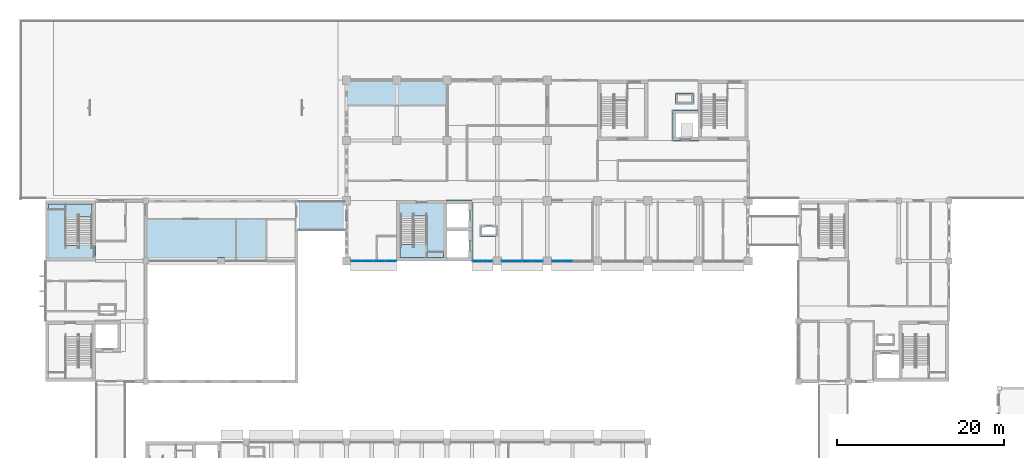
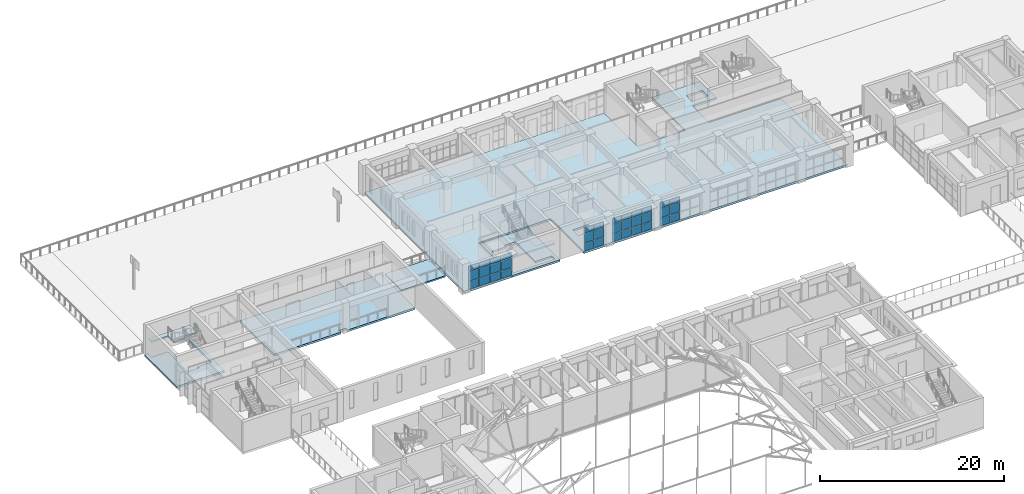
# One storey, part 61 of 101: 36 plates, 7 slabs, 6 elements without a shape of their own.
"""IFC4 building model written with IfcOpenShell, lengths in metres."""

from ifc_helpers import new_model, si_unit, direction, frame, origin, origin_2d, place, context, subcontext, project, spatial, polyline, rectangle, outline, extrude, material, layer, layer_set, type_object, element, aggregate, save


model = new_model("IFC4")

# Units and contexts
model_context = context("Model", 3, precision=1e-05, world=origin(), true_north=direction((0.0, 1.0)))
body_context = subcontext(model_context, "Body", "Model", "MODEL_VIEW")
ifc_project = project(units=[si_unit("LENGTHUNIT", "METRE"), si_unit("AREAUNIT", "SQUARE_METRE"), si_unit("VOLUMEUNIT", "CUBIC_METRE"), si_unit("PLANEANGLEUNIT", "RADIAN"), si_unit("MASSUNIT", "GRAM", prefix="KILO")], contexts=[model_context])

# Site, building, storey
site_placement = place(None, origin())
site = spatial("IfcSite", under=ifc_project, at=site_placement, CompositionType="ELEMENT")
building_placement = place(site_placement, origin())
building = spatial("IfcBuilding", under=site, at=building_placement, Name="Laocheng Heights Fire and Rescue Headquarters", CompositionType="ELEMENT")
storey_placement = place(building_placement, frame((0.0, 0.0, 8.39990234375)))
storey = spatial("IfcBuildingStorey", under=building, at=storey_placement, Name="L02", CompositionType="ELEMENT", Elevation=8.39990234375)

# Curtain wall, plates
ifc_material_1 = material(Name="Dark anodised aluminium unitised curtain wall, low-e double glazing", Category="aluminium")
curtain_wall_type_1 = type_object("IfcCurtainWallType", Name="CW 5500 x 3200 HQ SOUTH RIBBON", PredefinedType="NOTDEFINED", material=ifc_material_1)
curtain_wall_1_placement = place(storey_placement, origin())
curtain_wall_1 = element("IfcCurtainWall", 1, at=curtain_wall_1_placement, inside=storey, type_object=curtain_wall_type_1, Name="X8-X HQ SOUTH L02", PredefinedType="NOTDEFINED")
ifc_material_2 = material(Name="Laminated safety glass, low-e double glazed unit", Category="glass")
ifc_layer_1 = layer(ifc_material_2, 0.0400390625)
ifc_layer_set_1 = layer_set([ifc_layer_1], Name="Laminated safety glass, low-e double glazed unit")
plate_type_1 = type_object("IfcPlateType", Name="CW LAMINATED SAFETY PANEL 40 X", PredefinedType="CURTAIN_PANEL", material=ifc_layer_set_1)
plate_1_placement = place(storey_placement, frame((37.202392578125, 50.39990234375, 0.050048828125), z_axis=(0.0, 0.0, 1.0), x_axis=(1.0, 0.0, 0.0)))
plate_1 = element("IfcPlate", 2, at=plate_1_placement, type_object=plate_type_1, Name="X8-X panel 1.1", PredefinedType="CURTAIN_PANEL", context=body_context, shape_type="SweptSolid", body=[
    extrude(rectangle(XDim=1.284912109375, YDim=0.0400390625, at=origin_2d()), origin(), (0.0, 0.0, 1.0), 1.02490234375),
])
plate_2_placement = place(storey_placement, frame((38.5625, 50.39990234375, 0.050048828125), z_axis=(0.0, 0.0, 1.0), x_axis=(1.0, 0.0, 0.0)))
plate_2 = element("IfcPlate", 3, at=plate_2_placement, type_object=plate_type_1, Name="X8-X panel 2.1", PredefinedType="CURTAIN_PANEL", context=body_context, shape_type="SweptSolid", body=[
    extrude(rectangle(XDim=1.31494140625, YDim=0.0400390625, at=origin_2d()), origin(), (0.0, 0.0, 1.0), 1.02490234375),
])
plate_3_placement = place(storey_placement, frame((39.9375, 50.39990234375, 0.050048828125), z_axis=(0.0, 0.0, 1.0), x_axis=(1.0, 0.0, 0.0)))
plate_3 = element("IfcPlate", 4, at=plate_3_placement, type_object=plate_type_1, Name="X8-X panel 3.1", PredefinedType="CURTAIN_PANEL", context=body_context, shape_type="SweptSolid", body=[
    extrude(rectangle(XDim=1.31494140625, YDim=0.0400390625, at=origin_2d()), origin(), (0.0, 0.0, 1.0), 1.02490234375),
])
plate_4_placement = place(storey_placement, frame((41.297607421875, 50.39990234375, 0.050048828125), z_axis=(0.0, 0.0, 1.0), x_axis=(1.0, 0.0, 0.0)))
plate_4 = element("IfcPlate", 5, at=plate_4_placement, type_object=plate_type_1, Name="X8-X panel 4.1", PredefinedType="CURTAIN_PANEL", context=body_context, shape_type="SweptSolid", body=[
    extrude(rectangle(XDim=1.284912109375, YDim=0.0400390625, at=origin_2d()), origin(), (0.0, 0.0, 1.0), 1.02490234375),
])

ifc_material_3 = material(Name="Dark anodised aluminium unitised curtain wall, low-e double glazing", Category="aluminium")
curtain_wall_type_2 = type_object("IfcCurtainWallType", Name="CW 2500 x 3200 HQ SOUTH RIBBON", PredefinedType="NOTDEFINED", material=ifc_material_3)
curtain_wall_2_placement = place(storey_placement, origin())
curtain_wall_2 = element("IfcCurtainWall", 6, at=curtain_wall_2_placement, inside=storey, type_object=curtain_wall_type_2, Name="X9-X HQ SOUTH L02", PredefinedType="NOTDEFINED")
plate_5_placement = place(storey_placement, frame((51.639892578125, 50.39990234375, 0.050048828125), z_axis=(0.0, 0.0, 1.0), x_axis=(1.0, 0.0, 0.0)))
plate_5 = element("IfcPlate", 7, at=plate_5_placement, type_object=plate_type_1, Name="X9-X panel 1.1", PredefinedType="CURTAIN_PANEL", context=body_context, shape_type="SweptSolid", body=[
    extrude(rectangle(XDim=1.159912109375, YDim=0.0400390625, at=origin_2d()), origin(), (0.0, 0.0, 1.0), 1.02490234375),
])
plate_6_placement = place(storey_placement, frame((52.860107421875, 50.39990234375, 0.050048828125), z_axis=(0.0, 0.0, 1.0), x_axis=(1.0, 0.0, 0.0)))
plate_6 = element("IfcPlate", 8, at=plate_6_placement, type_object=plate_type_1, Name="X9-X panel 2.1", PredefinedType="CURTAIN_PANEL", context=body_context, shape_type="SweptSolid", body=[
    extrude(rectangle(XDim=1.159912109375, YDim=0.0400390625, at=origin_2d()), origin(), (0.0, 0.0, 1.0), 1.02490234375),
])

ifc_material_4 = material(Name="Dark anodised aluminium unitised curtain wall, low-e double glazing", Category="aluminium")
curtain_wall_type_3 = type_object("IfcCurtainWallType", Name="CW 5000 x 3200 HQ SOUTH RIBBON", PredefinedType="NOTDEFINED", material=ifc_material_4)
curtain_wall_3_placement = place(storey_placement, origin())
curtain_wall_3 = element("IfcCurtainWall", 9, at=curtain_wall_3_placement, inside=storey, type_object=curtain_wall_type_3, Name="X10-X HQ SOUTH L02", PredefinedType="NOTDEFINED")
plate_7_placement = place(storey_placement, frame((55.139892578125, 50.39990234375, 0.050048828125), z_axis=(0.0, 0.0, 1.0), x_axis=(1.0, 0.0, 0.0)))
plate_7 = element("IfcPlate", 10, at=plate_7_placement, type_object=plate_type_1, Name="X10-X panel 1.1", PredefinedType="CURTAIN_PANEL", context=body_context, shape_type="SweptSolid", body=[
    extrude(rectangle(XDim=1.159912109375, YDim=0.0400390625, at=origin_2d()), origin(), (0.0, 0.0, 1.0), 1.02490234375),
])
plate_8_placement = place(storey_placement, frame((56.375, 50.39990234375, 0.050048828125), z_axis=(0.0, 0.0, 1.0), x_axis=(1.0, 0.0, 0.0)))
plate_8 = element("IfcPlate", 11, at=plate_8_placement, type_object=plate_type_1, Name="X10-X panel 2.1", PredefinedType="CURTAIN_PANEL", context=body_context, shape_type="SweptSolid", body=[
    extrude(rectangle(XDim=1.18994140625, YDim=0.0400390625, at=origin_2d()), origin(), (0.0, 0.0, 1.0), 1.02490234375),
])
plate_9_placement = place(storey_placement, frame((57.625, 50.39990234375, 0.050048828125), z_axis=(0.0, 0.0, 1.0), x_axis=(1.0, 0.0, 0.0)))
plate_9 = element("IfcPlate", 12, at=plate_9_placement, type_object=plate_type_1, Name="X10-X panel 3.1", PredefinedType="CURTAIN_PANEL", context=body_context, shape_type="SweptSolid", body=[
    extrude(rectangle(XDim=1.18994140625, YDim=0.0400390625, at=origin_2d()), origin(), (0.0, 0.0, 1.0), 1.02490234375),
])
plate_10_placement = place(storey_placement, frame((58.860107421875, 50.39990234375, 0.050048828125), z_axis=(0.0, 0.0, 1.0), x_axis=(1.0, 0.0, 0.0)))
plate_10 = element("IfcPlate", 13, at=plate_10_placement, type_object=plate_type_1, Name="X10-X panel 4.1", PredefinedType="CURTAIN_PANEL", context=body_context, shape_type="SweptSolid", body=[
    extrude(rectangle(XDim=1.159912109375, YDim=0.0400390625, at=origin_2d()), origin(), (0.0, 0.0, 1.0), 1.02490234375),
])

curtain_wall_4_placement = place(storey_placement, origin())
curtain_wall_4 = element("IfcCurtainWall", 14, at=curtain_wall_4_placement, inside=storey, type_object=curtain_wall_type_3, Name="X10-X HQ SOUTH L02", PredefinedType="NOTDEFINED")
plate_11_placement = place(storey_placement, frame((61.139892578125, 50.39990234375, 0.050048828125), z_axis=(0.0, 0.0, 1.0), x_axis=(1.0, 0.0, 0.0)))
plate_11 = element("IfcPlate", 15, at=plate_11_placement, type_object=plate_type_1, Name="X10-X panel 1.1", PredefinedType="CURTAIN_PANEL", context=body_context, shape_type="SweptSolid", body=[
    extrude(rectangle(XDim=1.159912109375, YDim=0.0400390625, at=origin_2d()), origin(), (0.0, 0.0, 1.0), 1.02490234375),
])
plate_12_placement = place(storey_placement, frame((62.375, 50.39990234375, 0.050048828125), z_axis=(0.0, 0.0, 1.0), x_axis=(1.0, 0.0, 0.0)))
plate_12 = element("IfcPlate", 16, at=plate_12_placement, type_object=plate_type_1, Name="X10-X panel 2.1", PredefinedType="CURTAIN_PANEL", context=body_context, shape_type="SweptSolid", body=[
    extrude(rectangle(XDim=1.18994140625, YDim=0.0400390625, at=origin_2d()), origin(), (0.0, 0.0, 1.0), 1.02490234375),
])

# Plate
ifc_material_5 = material(Name="Low-e double glazed unit, laminated inner pane")
ifc_layer_2 = layer(ifc_material_5, 0.028076171875)
ifc_layer_set_2 = layer_set([ifc_layer_2], Name="Low-e double glazed unit, laminated inner pane")
plate_type_2 = type_object("IfcPlateType", Name="CW VISION PANEL 28 X", PredefinedType="CURTAIN_PANEL", material=ifc_layer_set_2)
plate_13_placement = place(storey_placement, frame((37.202392578125, 50.39990234375, 1.125), z_axis=(0.0, 0.0, 1.0), x_axis=(1.0, 0.0, 0.0)))
plate_13 = element("IfcPlate", 17, at=plate_13_placement, type_object=plate_type_2, Name="X8-X panel 1.2", PredefinedType="CURTAIN_PANEL", context=body_context, shape_type="SweptSolid", body=[
    extrude(rectangle(XDim=1.284912109375, YDim=0.028076171875, at=origin_2d()), origin(), (0.0, 0.0, 1.0), 1.25),
])

plate_14_placement = place(storey_placement, frame((37.202392578125, 50.39990234375, 2.425048828125), z_axis=(0.0, 0.0, 1.0), x_axis=(1.0, 0.0, 0.0)))
plate_14 = element("IfcPlate", 18, at=plate_14_placement, type_object=plate_type_2, Name="X8-X panel 1.3", PredefinedType="CURTAIN_PANEL", context=body_context, shape_type="SweptSolid", body=[
    extrude(rectangle(XDim=1.284912109375, YDim=0.028076171875, at=origin_2d()), origin(), (0.0, 0.0, 1.0), 0.72509765625),
])

plate_15_placement = place(storey_placement, frame((38.5625, 50.39990234375, 1.125), z_axis=(0.0, 0.0, 1.0), x_axis=(1.0, 0.0, 0.0)))
plate_15 = element("IfcPlate", 19, at=plate_15_placement, type_object=plate_type_2, Name="X8-X panel 2.2", PredefinedType="CURTAIN_PANEL", context=body_context, shape_type="SweptSolid", body=[
    extrude(rectangle(XDim=1.31494140625, YDim=0.028076171875, at=origin_2d()), origin(), (0.0, 0.0, 1.0), 1.25),
])

plate_16_placement = place(storey_placement, frame((38.5625, 50.39990234375, 2.425048828125), z_axis=(0.0, 0.0, 1.0), x_axis=(1.0, 0.0, 0.0)))
plate_16 = element("IfcPlate", 20, at=plate_16_placement, type_object=plate_type_2, Name="X8-X panel 2.3", PredefinedType="CURTAIN_PANEL", context=body_context, shape_type="SweptSolid", body=[
    extrude(rectangle(XDim=1.31494140625, YDim=0.028076171875, at=origin_2d()), origin(), (0.0, 0.0, 1.0), 0.72509765625),
])

plate_17_placement = place(storey_placement, frame((39.9375, 50.39990234375, 1.125), z_axis=(0.0, 0.0, 1.0), x_axis=(1.0, 0.0, 0.0)))
plate_17 = element("IfcPlate", 21, at=plate_17_placement, type_object=plate_type_2, Name="X8-X panel 3.2", PredefinedType="CURTAIN_PANEL", context=body_context, shape_type="SweptSolid", body=[
    extrude(rectangle(XDim=1.31494140625, YDim=0.028076171875, at=origin_2d()), origin(), (0.0, 0.0, 1.0), 1.25),
])

plate_18_placement = place(storey_placement, frame((39.9375, 50.39990234375, 2.425048828125), z_axis=(0.0, 0.0, 1.0), x_axis=(1.0, 0.0, 0.0)))
plate_18 = element("IfcPlate", 22, at=plate_18_placement, type_object=plate_type_2, Name="X8-X panel 3.3", PredefinedType="CURTAIN_PANEL", context=body_context, shape_type="SweptSolid", body=[
    extrude(rectangle(XDim=1.31494140625, YDim=0.028076171875, at=origin_2d()), origin(), (0.0, 0.0, 1.0), 0.72509765625),
])

plate_19_placement = place(storey_placement, frame((41.297607421875, 50.39990234375, 1.125), z_axis=(0.0, 0.0, 1.0), x_axis=(1.0, 0.0, 0.0)))
plate_19 = element("IfcPlate", 23, at=plate_19_placement, type_object=plate_type_2, Name="X8-X panel 4.2", PredefinedType="CURTAIN_PANEL", context=body_context, shape_type="SweptSolid", body=[
    extrude(rectangle(XDim=1.284912109375, YDim=0.028076171875, at=origin_2d()), origin(), (0.0, 0.0, 1.0), 1.25),
])

plate_20_placement = place(storey_placement, frame((41.297607421875, 50.39990234375, 2.425048828125), z_axis=(0.0, 0.0, 1.0), x_axis=(1.0, 0.0, 0.0)))
plate_20 = element("IfcPlate", 24, at=plate_20_placement, type_object=plate_type_2, Name="X8-X panel 4.3", PredefinedType="CURTAIN_PANEL", context=body_context, shape_type="SweptSolid", body=[
    extrude(rectangle(XDim=1.284912109375, YDim=0.028076171875, at=origin_2d()), origin(), (0.0, 0.0, 1.0), 0.72509765625),
])

aggregate(curtain_wall_1, [plate_1, plate_13, plate_14, plate_2, plate_15, plate_16, plate_3, plate_17, plate_18, plate_4, plate_19, plate_20])

plate_21_placement = place(storey_placement, frame((51.639892578125, 50.39990234375, 1.125), z_axis=(0.0, 0.0, 1.0), x_axis=(1.0, 0.0, 0.0)))
plate_21 = element("IfcPlate", 25, at=plate_21_placement, type_object=plate_type_2, Name="X9-X panel 1.2", PredefinedType="CURTAIN_PANEL", context=body_context, shape_type="SweptSolid", body=[
    extrude(rectangle(XDim=1.159912109375, YDim=0.028076171875, at=origin_2d()), origin(), (0.0, 0.0, 1.0), 1.25),
])

plate_22_placement = place(storey_placement, frame((51.639892578125, 50.39990234375, 2.425048828125), z_axis=(0.0, 0.0, 1.0), x_axis=(1.0, 0.0, 0.0)))
plate_22 = element("IfcPlate", 26, at=plate_22_placement, type_object=plate_type_2, Name="X9-X panel 1.3", PredefinedType="CURTAIN_PANEL", context=body_context, shape_type="SweptSolid", body=[
    extrude(rectangle(XDim=1.159912109375, YDim=0.028076171875, at=origin_2d()), origin(), (0.0, 0.0, 1.0), 0.72509765625),
])

plate_23_placement = place(storey_placement, frame((52.860107421875, 50.39990234375, 1.125), z_axis=(0.0, 0.0, 1.0), x_axis=(1.0, 0.0, 0.0)))
plate_23 = element("IfcPlate", 27, at=plate_23_placement, type_object=plate_type_2, Name="X9-X panel 2.2", PredefinedType="CURTAIN_PANEL", context=body_context, shape_type="SweptSolid", body=[
    extrude(rectangle(XDim=1.159912109375, YDim=0.028076171875, at=origin_2d()), origin(), (0.0, 0.0, 1.0), 1.25),
])

plate_24_placement = place(storey_placement, frame((52.860107421875, 50.39990234375, 2.425048828125), z_axis=(0.0, 0.0, 1.0), x_axis=(1.0, 0.0, 0.0)))
plate_24 = element("IfcPlate", 28, at=plate_24_placement, type_object=plate_type_2, Name="X9-X panel 2.3", PredefinedType="CURTAIN_PANEL", context=body_context, shape_type="SweptSolid", body=[
    extrude(rectangle(XDim=1.159912109375, YDim=0.028076171875, at=origin_2d()), origin(), (0.0, 0.0, 1.0), 0.72509765625),
])

aggregate(curtain_wall_2, [plate_5, plate_21, plate_22, plate_6, plate_23, plate_24])

plate_25_placement = place(storey_placement, frame((55.139892578125, 50.39990234375, 1.125), z_axis=(0.0, 0.0, 1.0), x_axis=(1.0, 0.0, 0.0)))
plate_25 = element("IfcPlate", 29, at=plate_25_placement, type_object=plate_type_2, Name="X10-X panel 1.2", PredefinedType="CURTAIN_PANEL", context=body_context, shape_type="SweptSolid", body=[
    extrude(rectangle(XDim=1.159912109375, YDim=0.028076171875, at=origin_2d()), origin(), (0.0, 0.0, 1.0), 1.25),
])

plate_26_placement = place(storey_placement, frame((55.139892578125, 50.39990234375, 2.425048828125), z_axis=(0.0, 0.0, 1.0), x_axis=(1.0, 0.0, 0.0)))
plate_26 = element("IfcPlate", 30, at=plate_26_placement, type_object=plate_type_2, Name="X10-X panel 1.3", PredefinedType="CURTAIN_PANEL", context=body_context, shape_type="SweptSolid", body=[
    extrude(rectangle(XDim=1.159912109375, YDim=0.028076171875, at=origin_2d()), origin(), (0.0, 0.0, 1.0), 0.72509765625),
])

plate_27_placement = place(storey_placement, frame((56.375, 50.39990234375, 1.125), z_axis=(0.0, 0.0, 1.0), x_axis=(1.0, 0.0, 0.0)))
plate_27 = element("IfcPlate", 31, at=plate_27_placement, type_object=plate_type_2, Name="X10-X panel 2.2", PredefinedType="CURTAIN_PANEL", context=body_context, shape_type="SweptSolid", body=[
    extrude(rectangle(XDim=1.18994140625, YDim=0.028076171875, at=origin_2d()), origin(), (0.0, 0.0, 1.0), 1.25),
])

plate_28_placement = place(storey_placement, frame((56.375, 50.39990234375, 2.425048828125), z_axis=(0.0, 0.0, 1.0), x_axis=(1.0, 0.0, 0.0)))
plate_28 = element("IfcPlate", 32, at=plate_28_placement, type_object=plate_type_2, Name="X10-X panel 2.3", PredefinedType="CURTAIN_PANEL", context=body_context, shape_type="SweptSolid", body=[
    extrude(rectangle(XDim=1.18994140625, YDim=0.028076171875, at=origin_2d()), origin(), (0.0, 0.0, 1.0), 0.72509765625),
])

plate_29_placement = place(storey_placement, frame((57.625, 50.39990234375, 1.125), z_axis=(0.0, 0.0, 1.0), x_axis=(1.0, 0.0, 0.0)))
plate_29 = element("IfcPlate", 33, at=plate_29_placement, type_object=plate_type_2, Name="X10-X panel 3.2", PredefinedType="CURTAIN_PANEL", context=body_context, shape_type="SweptSolid", body=[
    extrude(rectangle(XDim=1.18994140625, YDim=0.028076171875, at=origin_2d()), origin(), (0.0, 0.0, 1.0), 1.25),
])

plate_30_placement = place(storey_placement, frame((57.625, 50.39990234375, 2.425048828125), z_axis=(0.0, 0.0, 1.0), x_axis=(1.0, 0.0, 0.0)))
plate_30 = element("IfcPlate", 34, at=plate_30_placement, type_object=plate_type_2, Name="X10-X panel 3.3", PredefinedType="CURTAIN_PANEL", context=body_context, shape_type="SweptSolid", body=[
    extrude(rectangle(XDim=1.18994140625, YDim=0.028076171875, at=origin_2d()), origin(), (0.0, 0.0, 1.0), 0.72509765625),
])

plate_31_placement = place(storey_placement, frame((58.860107421875, 50.39990234375, 1.125), z_axis=(0.0, 0.0, 1.0), x_axis=(1.0, 0.0, 0.0)))
plate_31 = element("IfcPlate", 35, at=plate_31_placement, type_object=plate_type_2, Name="X10-X panel 4.2", PredefinedType="CURTAIN_PANEL", context=body_context, shape_type="SweptSolid", body=[
    extrude(rectangle(XDim=1.159912109375, YDim=0.028076171875, at=origin_2d()), origin(), (0.0, 0.0, 1.0), 1.25),
])

plate_32_placement = place(storey_placement, frame((58.860107421875, 50.39990234375, 2.425048828125), z_axis=(0.0, 0.0, 1.0), x_axis=(1.0, 0.0, 0.0)))
plate_32 = element("IfcPlate", 36, at=plate_32_placement, type_object=plate_type_2, Name="X10-X panel 4.3", PredefinedType="CURTAIN_PANEL", context=body_context, shape_type="SweptSolid", body=[
    extrude(rectangle(XDim=1.159912109375, YDim=0.028076171875, at=origin_2d()), origin(), (0.0, 0.0, 1.0), 0.72509765625),
])

aggregate(curtain_wall_3, [plate_7, plate_25, plate_26, plate_8, plate_27, plate_28, plate_9, plate_29, plate_30, plate_10, plate_31, plate_32])

plate_33_placement = place(storey_placement, frame((61.139892578125, 50.39990234375, 1.125), z_axis=(0.0, 0.0, 1.0), x_axis=(1.0, 0.0, 0.0)))
plate_33 = element("IfcPlate", 37, at=plate_33_placement, type_object=plate_type_2, Name="X10-X panel 1.2", PredefinedType="CURTAIN_PANEL", context=body_context, shape_type="SweptSolid", body=[
    extrude(rectangle(XDim=1.159912109375, YDim=0.028076171875, at=origin_2d()), origin(), (0.0, 0.0, 1.0), 1.25),
])

plate_34_placement = place(storey_placement, frame((61.139892578125, 50.39990234375, 2.425048828125), z_axis=(0.0, 0.0, 1.0), x_axis=(1.0, 0.0, 0.0)))
plate_34 = element("IfcPlate", 38, at=plate_34_placement, type_object=plate_type_2, Name="X10-X panel 1.3", PredefinedType="CURTAIN_PANEL", context=body_context, shape_type="SweptSolid", body=[
    extrude(rectangle(XDim=1.159912109375, YDim=0.028076171875, at=origin_2d()), origin(), (0.0, 0.0, 1.0), 0.72509765625),
])

plate_35_placement = place(storey_placement, frame((62.375, 50.39990234375, 1.125), z_axis=(0.0, 0.0, 1.0), x_axis=(1.0, 0.0, 0.0)))
plate_35 = element("IfcPlate", 39, at=plate_35_placement, type_object=plate_type_2, Name="X10-X panel 2.2", PredefinedType="CURTAIN_PANEL", context=body_context, shape_type="SweptSolid", body=[
    extrude(rectangle(XDim=1.18994140625, YDim=0.028076171875, at=origin_2d()), origin(), (0.0, 0.0, 1.0), 1.25),
])

plate_36_placement = place(storey_placement, frame((62.375, 50.39990234375, 2.425048828125), z_axis=(0.0, 0.0, 1.0), x_axis=(1.0, 0.0, 0.0)))
plate_36 = element("IfcPlate", 40, at=plate_36_placement, type_object=plate_type_2, Name="X10-X panel 2.3", PredefinedType="CURTAIN_PANEL", context=body_context, shape_type="SweptSolid", body=[
    extrude(rectangle(XDim=1.18994140625, YDim=0.028076171875, at=origin_2d()), origin(), (0.0, 0.0, 1.0), 0.72509765625),
])

aggregate(curtain_wall_4, [plate_11, plate_33, plate_34, plate_12, plate_35, plate_36])

# Slabs
ifc_material_6 = material(Name="Concrete C40", Category="concrete")
ifc_layer_3 = layer(ifc_material_6, 0.25)
ifc_layer_set_3 = layer_set([ifc_layer_3], Name="Concrete C40")
slab_type_1 = type_object("IfcSlabType", Name="RC BALCONY SLAB 250 THEATRE", PredefinedType="FLOOR", material=ifc_layer_set_3)
slab_1_placement = place(storey_placement, frame((0.0, 0.0, -0.25)))
element("IfcSlab", 41, at=slab_1_placement, inside=storey, type_object=slab_type_1, Name="Balcony", PredefinedType="FLOOR", context=body_context, shape_type="SweptSolid", body=[
    extrude(outline(polyline([(12.175048828125, 50.39990234375), (20.60009765625, 50.39990234375), (20.60009765625, 50.800048828125), (21.39990234375, 50.800048828125), (21.39990234375, 50.39990234375), (29.824951171875, 50.39990234375), (29.824951171875, 57.77490234375), (12.175048828125, 57.77490234375), (12.175048828125, 50.39990234375)])), origin(), (0.0, 0.0, 1.0), 0.25),
])
ifc_material_7 = material(Name="Concrete C40", Category="concrete")
ifc_layer_4 = layer(ifc_material_7, 0.199951171875)
ifc_layer_set_4 = layer_set([ifc_layer_4], Name="Concrete C40")
slab_type_2 = type_object("IfcSlabType", Name="RC BRIDGE DECK 200", PredefinedType="FLOOR", material=ifc_layer_set_4)
slab_2_placement = place(storey_placement, frame((0.0, 0.0, -0.199951171875)))
element("IfcSlab", 42, at=slab_2_placement, inside=storey, type_object=slab_type_2, Name="Bridge B2 deck", PredefinedType="FLOOR", context=body_context, shape_type="SweptSolid", body=[
    extrude(outline(polyline([(35.75, 54.0), (35.75, 57.60009765625), (30.22509765625, 57.60009765625), (30.22509765625, 54.0), (35.75, 54.0)])), origin(), (0.0, 0.0, 1.0), 0.199951171875),
])
ifc_material_8 = material(Name="Concrete C40", Category="concrete")
ifc_layer_5 = layer(ifc_material_8, 0.25)
ifc_layer_set_5 = layer_set([ifc_layer_5], Name="Concrete C40")
slab_type_3 = type_object("IfcSlabType", Name="RC FLOOR SLAB 250 HQ", PredefinedType="FLOOR", material=ifc_layer_set_5)
slab_3_placement = place(storey_placement, frame((0.0, 0.0, -0.25)))
element("IfcSlab", 43, at=slab_3_placement, inside=storey, type_object=slab_type_3, Name="HQ floor L02", PredefinedType="FLOOR", context=body_context, shape_type="SweptSolid", body=[
    extrude(outline(polyline([(84.0, 50.39990234375), (84.0, 64.800048828125), (75.0, 64.800048828125), (75.0, 68.39990234375), (78.0, 68.39990234375), (78.0, 72.0), (72.0, 72.0), (72.0, 64.800048828125), (66.0, 64.800048828125), (66.0, 72.0), (36.0, 72.0), (36.0, 50.39990234375), (42.0, 50.39990234375), (42.0, 57.60009765625), (51.0, 57.60009765625), (51.0, 50.39990234375), (84.0, 50.39990234375)]), holes=[polyline([(54.0, 53.39990234375), (52.0, 53.39990234375), (52.0, 54.60009765625), (54.0, 54.60009765625), (54.0, 53.39990234375)]), polyline([(77.39990234375, 69.199951171875), (75.39990234375, 69.199951171875), (75.39990234375, 70.39990234375), (77.39990234375, 70.39990234375), (77.39990234375, 69.199951171875)])]), origin(), (0.0, 0.0, 1.0), 0.25),
])

# Stair, slab
ifc_material_9 = material(Name="Concrete C40", Category="concrete")
stair_type = type_object("IfcStairType", Name="RC STAIR 1400 TWO FLIGHTS 28 RISERS OF 150 GOING 260", PredefinedType="HALF_TURN_STAIR", material=ifc_material_9)
stair_1_placement = place(storey_placement, origin())
stair_1 = element("IfcStair", 44, at=stair_1_placement, inside=storey, type_object=stair_type, Name="Stair P2 (L02 to L03)", PredefinedType="HALF_TURN_STAIR")
ifc_material_10 = material(Name="Concrete C40", Category="concrete")
ifc_layer_6 = layer(ifc_material_10, 0.25)
ifc_layer_set_6 = layer_set([ifc_layer_6], Name="Concrete C40")
slab_type_4 = type_object("IfcSlabType", Name="STAIR FLOOR LANDING 250", PredefinedType="LANDING", material=ifc_layer_set_6)
slab_4_placement = place(storey_placement, frame((0.0, 0.0, -0.25)))
slab_4 = element("IfcSlab", 45, at=slab_4_placement, type_object=slab_type_4, Name="Stair P2 floor landing L02", PredefinedType="LANDING", context=body_context, shape_type="SweptSolid", body=[
    extrude(outline(polyline([(0.0, 57.375), (0.449951171875, 57.375), (0.449951171875, 57.199951171875), (0.39990234375, 57.199951171875), (0.39990234375, 56.60009765625), (2.47509765625, 56.60009765625), (2.47509765625, 55.329833984375), (2.47509765625, 52.2529296875), (3.875, 52.2529296875), (3.875, 52.550048828125), (5.60009765625, 52.550048828125), (5.60009765625, 55.626953125), (5.60009765625, 57.199951171875), (5.550048828125, 57.199951171875), (5.550048828125, 57.375), (6.0, 57.375), (6.0, 50.39990234375), (0.0, 50.39990234375), (0.0, 57.375)])), origin(), (0.0, 0.0, 1.0), 0.25),
])

stair_2_placement = place(storey_placement, origin())
stair_2 = element("IfcStair", 46, at=stair_2_placement, inside=storey, type_object=stair_type, Name="Stair H1 (L02 to L03)", PredefinedType="HALF_TURN_STAIR")
slab_5_placement = place(storey_placement, frame((0.0, 0.0, -0.25)))
slab_5 = element("IfcSlab", 47, at=slab_5_placement, type_object=slab_type_4, Name="Stair H1 floor landing L02", PredefinedType="LANDING", context=body_context, shape_type="SweptSolid", body=[
    extrude(outline(polyline([(42.0, 57.375), (48.0, 57.375), (48.0, 50.39990234375), (42.0, 50.39990234375), (42.0, 57.375)]), holes=[polyline([(45.52490234375, 50.800048828125), (47.60009765625, 50.800048828125), (47.60009765625, 51.39990234375), (47.550048828125, 51.39990234375), (47.550048828125, 51.449951171875), (45.52490234375, 51.449951171875), (45.52490234375, 52.670166015625), (45.52490234375, 55.7470703125), (44.125, 55.7470703125), (44.125, 55.449951171875), (42.39990234375, 55.449951171875), (42.39990234375, 52.373046875), (42.39990234375, 50.800048828125), (44.125, 50.800048828125), (45.52490234375, 50.800048828125)])]), origin(), (0.0, 0.0, 1.0), 0.25),
])

# Slab
ifc_material_11 = material(Name="Concrete C40", Category="concrete")
ifc_layer_7 = layer(ifc_material_11, 0.201904296875)
ifc_layer_set_7 = layer_set([ifc_layer_7], Name="Concrete C40")
slab_type_5 = type_object("IfcSlabType", Name="STAIR HALF LANDING 202", PredefinedType="LANDING", material=ifc_layer_set_7)
slab_6_placement = place(storey_placement, frame((0.0, 0.0, 1.900146484375)))
slab_6 = element("IfcSlab", 48, at=slab_6_placement, type_object=slab_type_5, Name="P2-L02 landing 1", PredefinedType="LANDING", context=body_context, shape_type="SweptSolid", body=[
    extrude(outline(polyline([(0.39990234375, 56.60009765625), (0.39990234375, 57.199951171875), (2.47509765625, 57.199951171875), (3.875, 57.199951171875), (5.60009765625, 57.199951171875), (5.60009765625, 55.626953125), (3.875, 55.626953125), (3.875, 55.329833984375), (2.47509765625, 55.329833984375), (2.47509765625, 56.60009765625), (0.39990234375, 56.60009765625)])), origin(), (0.0, 0.0, 1.0), 0.201904296875),
])

aggregate(stair_1, [slab_6, slab_4])

slab_7_placement = place(storey_placement, frame((0.0, 0.0, 1.900146484375)))
slab_7 = element("IfcSlab", 49, at=slab_7_placement, type_object=slab_type_5, Name="H1-L02 landing 1", PredefinedType="LANDING", context=body_context, shape_type="SweptSolid", body=[
    extrude(outline(polyline([(47.60009765625, 51.39990234375), (47.60009765625, 50.800048828125), (45.52490234375, 50.800048828125), (44.125, 50.800048828125), (42.39990234375, 50.800048828125), (42.39990234375, 52.373046875), (44.125, 52.373046875), (44.125, 52.670166015625), (45.52490234375, 52.670166015625), (45.52490234375, 51.39990234375), (47.60009765625, 51.39990234375)])), origin(), (0.0, 0.0, 1.0), 0.201904296875),
])

aggregate(stair_2, [slab_7, slab_5])

save(model, "model.ifc")
